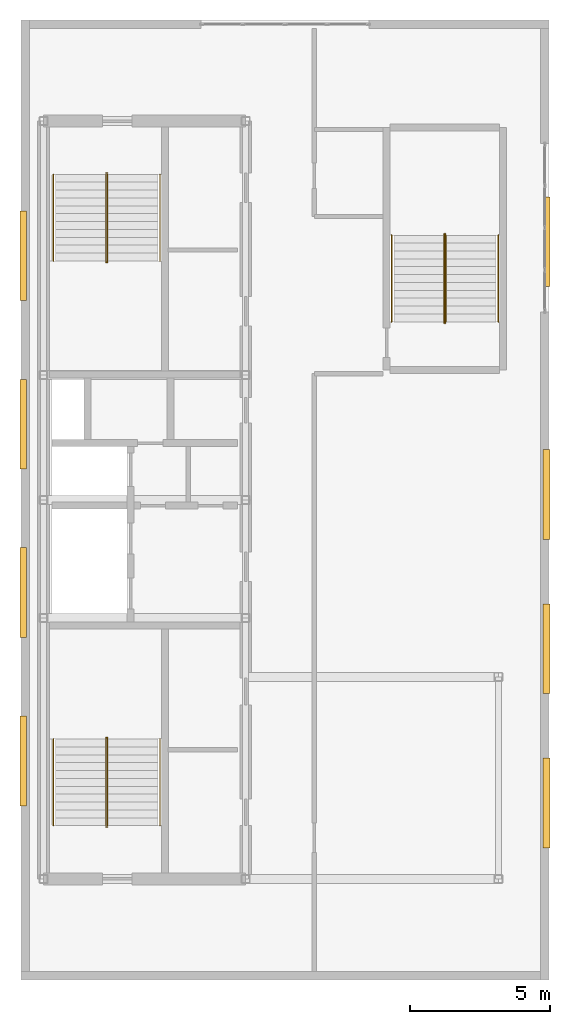
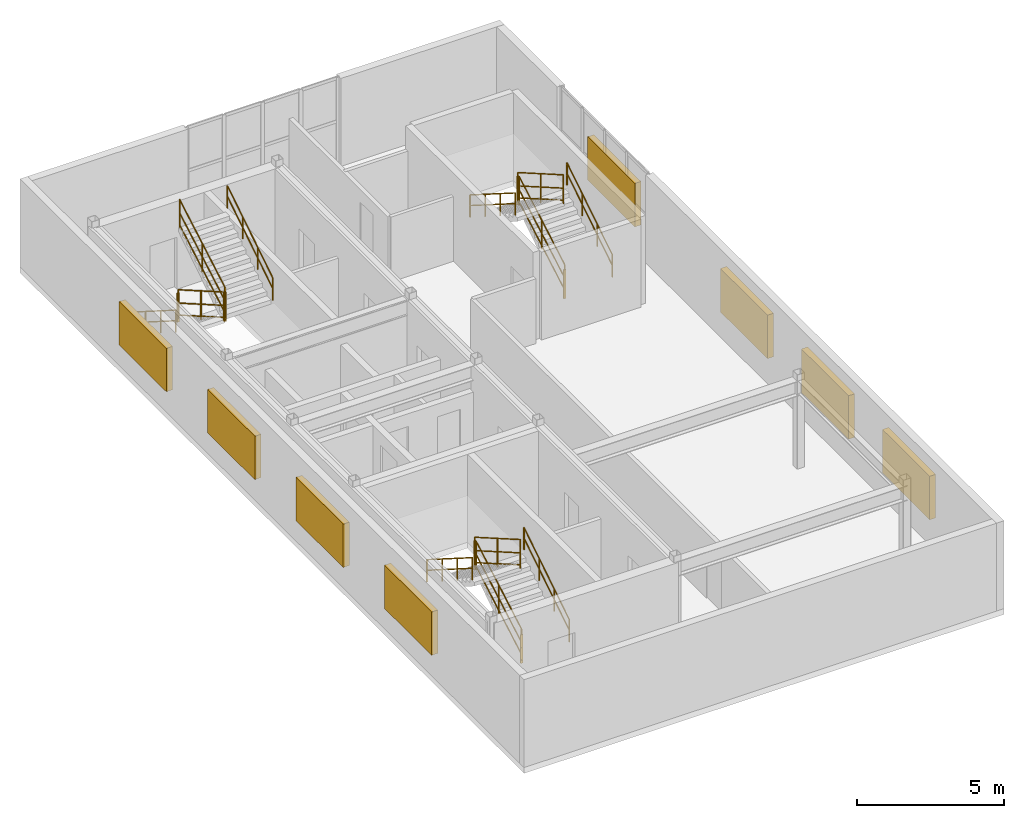
# One storey, part 6 of 6: 18 railings, 8 shading devices.
"""IFC4 building model written with IfcOpenShell, lengths in metres."""

from ifc_helpers import new_model, entity, si_unit, converted_unit, direction, frame, origin_with_axes, origin_2d_with_axis, place, context, subcontext, project, spatial, rectangle, circle, extrude, material, type_object, element, save


model = new_model("IFC4")

# Units and contexts
model_context = context("Model", 3, precision=1e-05, world=origin_with_axes(), true_north=direction((0.0, 1.0)))
body_context = subcontext(model_context, "Body", "Model", "MODEL_VIEW")
ifc_project = project(units=[si_unit("LENGTHUNIT", "METRE"), si_unit("AREAUNIT", "SQUARE_METRE"), si_unit("VOLUMEUNIT", "CUBIC_METRE"), converted_unit("PLANEANGLEUNIT", "DEGREE", entity("IfcPlaneAngleMeasure", 0.017453292519943295), si_unit("PLANEANGLEUNIT", "RADIAN"), dimensions=[0, 0, 0, 0, 0, 0, 0]), si_unit("MASSUNIT", "GRAM", prefix="KILO"), si_unit("THERMODYNAMICTEMPERATUREUNIT", "KELVIN")], contexts=[model_context])

# Site, building, storey
site_placement = place(None, origin_with_axes())
site = spatial("IfcSite", under=ifc_project, at=site_placement, CompositionType="ELEMENT")
building_placement = place(site_placement, origin_with_axes())
building = spatial("IfcBuilding", under=site, at=building_placement, Name="Varnlund Millrace Tower", CompositionType="ELEMENT")
storey_placement = place(building_placement, frame((0.0, 0.0, 328.2), z_axis=(0.0, 0.0, 1.0), x_axis=(1.0, 0.0, 0.0)))
storey = spatial("IfcBuildingStorey", under=building, at=storey_placement, Name="L81", CompositionType="ELEMENT", Elevation=328.2)

# Shading devices
ifc_material_1 = material(Name="Architectural bronze cold-climate intake louvre", Category="aluminium")
shading_device_type = type_object("IfcShadingDeviceType", Name="Type-Shade-CrownLouvre-JAL", PredefinedType="JALOUSIE", material=ifc_material_1)
for number, where, z_axis, x_axis, name in (
    (1, (10.68, 15.0, 0.9), (0.0, 0.0, 1.0), (0.0, 1.0, 0.0), "Type-Shade-CrownLouvre-JAL"),
    (2, (10.68, 21.0, 0.9), (0.0, 0.0, 1.0), (0.0, 1.0, 0.0), "Type-Shade-CrownLouvre-JAL"),
    (3, (10.68, 27.0, 0.9), (0.0, 0.0, 1.0), (0.0, 1.0, 0.0), "Type-Shade-CrownLouvre-JAL"),
    (4, (10.68, 33.0, 0.9), (0.0, 0.0, 1.0), (0.0, 1.0, 0.0), "Type-Shade-CrownLouvre-JAL"),
    (5, (29.32, 13.5, 0.9), (0.0, 0.0, 1.0), (0.0, 1.0, 0.0), "Type-Shade-CrownLouvre-JAL"),
    (6, (29.32, 19.0, 0.9), (0.0, 0.0, 1.0), (0.0, 1.0, 0.0), "Type-Shade-CrownLouvre-JAL"),
    (7, (29.32, 24.5, 0.9), (0.0, 0.0, 1.0), (0.0, 1.0, 0.0), "Type-Shade-CrownLouvre-JAL"),
    (8, (29.32, 33.5, 0.9), (0.0, 0.0, 1.0), (0.0, 1.0, 0.0), "Type-Shade-CrownLouvre-JAL"),
):
    element("IfcShadingDevice", number, at=place(storey_placement, frame(where, z_axis=z_axis, x_axis=x_axis)), inside=storey, type_object=shading_device_type, Name=name, PredefinedType="JALOUSIE", context=body_context, shape_type="SweptSolid", body=[
        extrude(rectangle(XDim=3.2, YDim=0.24, at=origin_2d_with_axis()), origin_with_axes(), (0.0, 0.0, 1.0), 1.8),
    ])

# Railings
ifc_material_2 = material(Name="Painted steel stair well balustrade guard", Category="steel")
railing_type_1 = type_object("IfcRailingType", Name="Type-StairGuard-1150", PredefinedType="GUARDRAIL", material=ifc_material_2)
railing_1_placement = place(storey_placement, frame((0.0, 0.0, -328.2), z_axis=(0.0, 0.0, 1.0), x_axis=(1.0, 0.0, 0.0)))
element("IfcRailing", 9, at=railing_1_placement, inside=storey, type_object=railing_type_1, Name="Type-StairGuard-1150", PredefinedType="GUARDRAIL", context=body_context, shape_type="SweptSolid", body=[
    extrude(circle(Radius=0.024, at=origin_2d_with_axis()), frame((13.675, 12.7, 329.527273), z_axis=(0.0, 0.866696, 0.498836), x_axis=(-1.0, 0.0, 0.0)), (0.0, 0.0, 1.0), 3.553725),
    extrude(circle(Radius=0.024, at=origin_2d_with_axis()), frame((13.675, 12.7, 328.477273), z_axis=(0.0, 0.866696, 0.498836), x_axis=(-1.0, 0.0, 0.0)), (0.0, 0.0, 1.0), 3.553725),
    extrude(circle(Radius=0.024, at=origin_2d_with_axis()), frame((13.675, 12.7, 328.975273), z_axis=(0.0, 0.866696, 0.498836), x_axis=(-1.0, 0.0, 0.0)), (0.0, 0.0, 1.0), 3.553725),
    extrude(rectangle(XDim=0.04, YDim=0.04, at=origin_2d_with_axis()), frame((13.675, 12.7, 328.337273), z_axis=(0.0, 0.0, 1.0), x_axis=(1.0, 0.0, 0.0)), (0.0, 0.0, 1.0), 1.19),
    extrude(rectangle(XDim=0.04, YDim=0.04, at=origin_2d_with_axis()), frame((13.675, 14.24, 329.223636), z_axis=(0.0, 0.0, 1.0), x_axis=(1.0, 0.0, 0.0)), (0.0, 0.0, 1.0), 1.19),
    extrude(rectangle(XDim=0.04, YDim=0.04, at=origin_2d_with_axis()), frame((13.675, 15.78, 330.11), z_axis=(0.0, 0.0, 1.0), x_axis=(1.0, 0.0, 0.0)), (0.0, 0.0, 1.0), 1.19),
])
railing_2_placement = place(storey_placement, frame((0.0, 0.0, -328.2), z_axis=(0.0, 0.0, 1.0), x_axis=(1.0, 0.0, 0.0)))
element("IfcRailing", 10, at=railing_2_placement, inside=storey, type_object=railing_type_1, Name="Type-StairGuard-1150", PredefinedType="GUARDRAIL", context=body_context, shape_type="SweptSolid", body=[
    extrude(circle(Radius=0.024, at=origin_2d_with_axis()), frame((13.625, 15.83, 331.3), z_axis=(1.0, 0.0, 0.0), x_axis=(0.0, 1.0, 0.0)), (0.0, 0.0, 1.0), 0.05),
    extrude(circle(Radius=0.024, at=origin_2d_with_axis()), frame((13.625, 15.83, 330.25), z_axis=(1.0, 0.0, 0.0), x_axis=(0.0, 1.0, 0.0)), (0.0, 0.0, 1.0), 0.05),
    extrude(circle(Radius=0.024, at=origin_2d_with_axis()), frame((13.625, 15.83, 330.748), z_axis=(1.0, 0.0, 0.0), x_axis=(0.0, 1.0, 0.0)), (0.0, 0.0, 1.0), 0.05),
    extrude(rectangle(XDim=0.04, YDim=0.04, at=origin_2d_with_axis()), frame((13.625, 15.83, 330.11), z_axis=(0.0, 0.0, 1.0), x_axis=(1.0, 0.0, 0.0)), (0.0, 0.0, 1.0), 1.19),
    extrude(rectangle(XDim=0.04, YDim=0.04, at=origin_2d_with_axis()), frame((13.675, 15.83, 330.11), z_axis=(0.0, 0.0, 1.0), x_axis=(1.0, 0.0, 0.0)), (0.0, 0.0, 1.0), 1.19),
])
railing_3_placement = place(storey_placement, frame((0.0, 0.0, -328.2), z_axis=(0.0, 0.0, 1.0), x_axis=(1.0, 0.0, 0.0)))
element("IfcRailing", 11, at=railing_3_placement, inside=storey, type_object=railing_type_1, Name="Type-StairGuard-1150", PredefinedType="GUARDRAIL", context=body_context, shape_type="SweptSolid", body=[
    extrude(circle(Radius=0.024, at=origin_2d_with_axis()), frame((13.625, 15.78, 331.477273), z_axis=(0.0, -0.866696, 0.498836), x_axis=(1.0, 0.0, 0.0)), (0.0, 0.0, 1.0), 3.553725),
    extrude(circle(Radius=0.024, at=origin_2d_with_axis()), frame((13.625, 15.78, 330.427273), z_axis=(0.0, -0.866696, 0.498836), x_axis=(1.0, 0.0, 0.0)), (0.0, 0.0, 1.0), 3.553725),
    extrude(circle(Radius=0.024, at=origin_2d_with_axis()), frame((13.625, 15.78, 330.925273), z_axis=(0.0, -0.866696, 0.498836), x_axis=(1.0, 0.0, 0.0)), (0.0, 0.0, 1.0), 3.553725),
    extrude(rectangle(XDim=0.04, YDim=0.04, at=origin_2d_with_axis()), frame((13.625, 15.78, 330.287273), z_axis=(0.0, 0.0, 1.0), x_axis=(1.0, 0.0, 0.0)), (0.0, 0.0, 1.0), 1.19),
    extrude(rectangle(XDim=0.04, YDim=0.04, at=origin_2d_with_axis()), frame((13.625, 14.24, 331.173636), z_axis=(0.0, 0.0, 1.0), x_axis=(1.0, 0.0, 0.0)), (0.0, 0.0, 1.0), 1.19),
    extrude(rectangle(XDim=0.04, YDim=0.04, at=origin_2d_with_axis()), frame((13.625, 12.7, 332.06), z_axis=(0.0, 0.0, 1.0), x_axis=(1.0, 0.0, 0.0)), (0.0, 0.0, 1.0), 1.19),
])
railing_4_placement = place(storey_placement, frame((0.0, 0.0, -328.2), z_axis=(0.0, 0.0, 1.0), x_axis=(1.0, 0.0, 0.0)))
element("IfcRailing", 12, at=railing_4_placement, inside=storey, type_object=railing_type_1, Name="Type-StairGuard-1150", PredefinedType="GUARDRAIL", context=body_context, shape_type="SweptSolid", body=[
    extrude(circle(Radius=0.024, at=origin_2d_with_axis()), frame((13.625, 12.65, 329.35), z_axis=(1.0, 0.0, 0.0), x_axis=(0.0, 1.0, 0.0)), (0.0, 0.0, 1.0), 0.05),
    extrude(circle(Radius=0.024, at=origin_2d_with_axis()), frame((13.625, 12.65, 328.3), z_axis=(1.0, 0.0, 0.0), x_axis=(0.0, 1.0, 0.0)), (0.0, 0.0, 1.0), 0.05),
    extrude(circle(Radius=0.024, at=origin_2d_with_axis()), frame((13.625, 12.65, 328.798), z_axis=(1.0, 0.0, 0.0), x_axis=(0.0, 1.0, 0.0)), (0.0, 0.0, 1.0), 0.05),
    extrude(rectangle(XDim=0.04, YDim=0.04, at=origin_2d_with_axis()), frame((13.625, 12.65, 328.16), z_axis=(0.0, 0.0, 1.0), x_axis=(1.0, 0.0, 0.0)), (0.0, 0.0, 1.0), 1.19),
    extrude(rectangle(XDim=0.04, YDim=0.04, at=origin_2d_with_axis()), frame((13.675, 12.65, 328.16), z_axis=(0.0, 0.0, 1.0), x_axis=(1.0, 0.0, 0.0)), (0.0, 0.0, 1.0), 1.19),
])
railing_5_placement = place(storey_placement, frame((0.0, 0.0, -328.2), z_axis=(0.0, 0.0, 1.0), x_axis=(1.0, 0.0, 0.0)))
element("IfcRailing", 13, at=railing_5_placement, inside=storey, type_object=railing_type_1, Name="Type-StairGuard-1150", PredefinedType="GUARDRAIL", context=body_context, shape_type="SweptSolid", body=[
    extrude(circle(Radius=0.024, at=origin_2d_with_axis()), frame((13.625, 35.9, 329.527273), z_axis=(0.0, -0.866696, 0.498836), x_axis=(1.0, 0.0, 0.0)), (0.0, 0.0, 1.0), 3.553725),
    extrude(circle(Radius=0.024, at=origin_2d_with_axis()), frame((13.625, 35.9, 328.477273), z_axis=(0.0, -0.866696, 0.498836), x_axis=(1.0, 0.0, 0.0)), (0.0, 0.0, 1.0), 3.553725),
    extrude(circle(Radius=0.024, at=origin_2d_with_axis()), frame((13.625, 35.9, 328.975273), z_axis=(0.0, -0.866696, 0.498836), x_axis=(1.0, 0.0, 0.0)), (0.0, 0.0, 1.0), 3.553725),
    extrude(rectangle(XDim=0.04, YDim=0.04, at=origin_2d_with_axis()), frame((13.625, 35.9, 328.337273), z_axis=(0.0, 0.0, 1.0), x_axis=(1.0, 0.0, 0.0)), (0.0, 0.0, 1.0), 1.19),
    extrude(rectangle(XDim=0.04, YDim=0.04, at=origin_2d_with_axis()), frame((13.625, 34.36, 329.223636), z_axis=(0.0, 0.0, 1.0), x_axis=(1.0, 0.0, 0.0)), (0.0, 0.0, 1.0), 1.19),
    extrude(rectangle(XDim=0.04, YDim=0.04, at=origin_2d_with_axis()), frame((13.625, 32.82, 330.11), z_axis=(0.0, 0.0, 1.0), x_axis=(1.0, 0.0, 0.0)), (0.0, 0.0, 1.0), 1.19),
])
railing_6_placement = place(storey_placement, frame((0.0, 0.0, -328.2), z_axis=(0.0, 0.0, 1.0), x_axis=(1.0, 0.0, 0.0)))
element("IfcRailing", 14, at=railing_6_placement, inside=storey, type_object=railing_type_1, Name="Type-StairGuard-1150", PredefinedType="GUARDRAIL", context=body_context, shape_type="SweptSolid", body=[
    extrude(circle(Radius=0.024, at=origin_2d_with_axis()), frame((13.675, 32.77, 331.3), z_axis=(-1.0, 0.0, 0.0), x_axis=(0.0, -1.0, 0.0)), (0.0, 0.0, 1.0), 0.05),
    extrude(circle(Radius=0.024, at=origin_2d_with_axis()), frame((13.675, 32.77, 330.25), z_axis=(-1.0, 0.0, 0.0), x_axis=(0.0, -1.0, 0.0)), (0.0, 0.0, 1.0), 0.05),
    extrude(circle(Radius=0.024, at=origin_2d_with_axis()), frame((13.675, 32.77, 330.748), z_axis=(-1.0, 0.0, 0.0), x_axis=(0.0, -1.0, 0.0)), (0.0, 0.0, 1.0), 0.05),
    extrude(rectangle(XDim=0.04, YDim=0.04, at=origin_2d_with_axis()), frame((13.675, 32.77, 330.11), z_axis=(0.0, 0.0, 1.0), x_axis=(1.0, 0.0, 0.0)), (0.0, 0.0, 1.0), 1.19),
    extrude(rectangle(XDim=0.04, YDim=0.04, at=origin_2d_with_axis()), frame((13.625, 32.77, 330.11), z_axis=(0.0, 0.0, 1.0), x_axis=(1.0, 0.0, 0.0)), (0.0, 0.0, 1.0), 1.19),
])
railing_7_placement = place(storey_placement, frame((0.0, 0.0, -328.2), z_axis=(0.0, 0.0, 1.0), x_axis=(1.0, 0.0, 0.0)))
element("IfcRailing", 15, at=railing_7_placement, inside=storey, type_object=railing_type_1, Name="Type-StairGuard-1150", PredefinedType="GUARDRAIL", context=body_context, shape_type="SweptSolid", body=[
    extrude(circle(Radius=0.024, at=origin_2d_with_axis()), frame((13.675, 32.82, 331.477273), z_axis=(0.0, 0.866696, 0.498836), x_axis=(-1.0, 0.0, 0.0)), (0.0, 0.0, 1.0), 3.553725),
    extrude(circle(Radius=0.024, at=origin_2d_with_axis()), frame((13.675, 32.82, 330.427273), z_axis=(0.0, 0.866696, 0.498836), x_axis=(-1.0, 0.0, 0.0)), (0.0, 0.0, 1.0), 3.553725),
    extrude(circle(Radius=0.024, at=origin_2d_with_axis()), frame((13.675, 32.82, 330.925273), z_axis=(0.0, 0.866696, 0.498836), x_axis=(-1.0, 0.0, 0.0)), (0.0, 0.0, 1.0), 3.553725),
    extrude(rectangle(XDim=0.04, YDim=0.04, at=origin_2d_with_axis()), frame((13.675, 32.82, 330.287273), z_axis=(0.0, 0.0, 1.0), x_axis=(1.0, 0.0, 0.0)), (0.0, 0.0, 1.0), 1.19),
    extrude(rectangle(XDim=0.04, YDim=0.04, at=origin_2d_with_axis()), frame((13.675, 34.36, 331.173636), z_axis=(0.0, 0.0, 1.0), x_axis=(1.0, 0.0, 0.0)), (0.0, 0.0, 1.0), 1.19),
    extrude(rectangle(XDim=0.04, YDim=0.04, at=origin_2d_with_axis()), frame((13.675, 35.9, 332.06), z_axis=(0.0, 0.0, 1.0), x_axis=(1.0, 0.0, 0.0)), (0.0, 0.0, 1.0), 1.19),
])
railing_8_placement = place(storey_placement, frame((0.0, 0.0, -328.2), z_axis=(0.0, 0.0, 1.0), x_axis=(1.0, 0.0, 0.0)))
element("IfcRailing", 16, at=railing_8_placement, inside=storey, type_object=railing_type_1, Name="Type-StairGuard-1150", PredefinedType="GUARDRAIL", context=body_context, shape_type="SweptSolid", body=[
    extrude(circle(Radius=0.024, at=origin_2d_with_axis()), frame((13.675, 35.95, 329.35), z_axis=(-1.0, 0.0, 0.0), x_axis=(0.0, -1.0, 0.0)), (0.0, 0.0, 1.0), 0.05),
    extrude(circle(Radius=0.024, at=origin_2d_with_axis()), frame((13.675, 35.95, 328.3), z_axis=(-1.0, 0.0, 0.0), x_axis=(0.0, -1.0, 0.0)), (0.0, 0.0, 1.0), 0.05),
    extrude(circle(Radius=0.024, at=origin_2d_with_axis()), frame((13.675, 35.95, 328.798), z_axis=(-1.0, 0.0, 0.0), x_axis=(0.0, -1.0, 0.0)), (0.0, 0.0, 1.0), 0.05),
    extrude(rectangle(XDim=0.04, YDim=0.04, at=origin_2d_with_axis()), frame((13.675, 35.95, 328.16), z_axis=(0.0, 0.0, 1.0), x_axis=(1.0, 0.0, 0.0)), (0.0, 0.0, 1.0), 1.19),
    extrude(rectangle(XDim=0.04, YDim=0.04, at=origin_2d_with_axis()), frame((13.625, 35.95, 328.16), z_axis=(0.0, 0.0, 1.0), x_axis=(1.0, 0.0, 0.0)), (0.0, 0.0, 1.0), 1.19),
])
railing_9_placement = place(storey_placement, frame((0.0, 0.0, -328.2), z_axis=(0.0, 0.0, 1.0), x_axis=(1.0, 0.0, 0.0)))
element("IfcRailing", 17, at=railing_9_placement, inside=storey, type_object=railing_type_1, Name="Type-StairGuard-1150", PredefinedType="GUARDRAIL", context=body_context, shape_type="SweptSolid", body=[
    extrude(circle(Radius=0.024, at=origin_2d_with_axis()), frame((25.725, 30.65, 329.527273), z_axis=(0.0, 0.866696, 0.498836), x_axis=(-1.0, 0.0, 0.0)), (0.0, 0.0, 1.0), 3.553725),
    extrude(circle(Radius=0.024, at=origin_2d_with_axis()), frame((25.725, 30.65, 328.477273), z_axis=(0.0, 0.866696, 0.498836), x_axis=(-1.0, 0.0, 0.0)), (0.0, 0.0, 1.0), 3.553725),
    extrude(circle(Radius=0.024, at=origin_2d_with_axis()), frame((25.725, 30.65, 328.975273), z_axis=(0.0, 0.866696, 0.498836), x_axis=(-1.0, 0.0, 0.0)), (0.0, 0.0, 1.0), 3.553725),
    extrude(rectangle(XDim=0.04, YDim=0.04, at=origin_2d_with_axis()), frame((25.725, 30.65, 328.337273), z_axis=(0.0, 0.0, 1.0), x_axis=(1.0, 0.0, 0.0)), (0.0, 0.0, 1.0), 1.19),
    extrude(rectangle(XDim=0.04, YDim=0.04, at=origin_2d_with_axis()), frame((25.725, 32.19, 329.223636), z_axis=(0.0, 0.0, 1.0), x_axis=(1.0, 0.0, 0.0)), (0.0, 0.0, 1.0), 1.19),
    extrude(rectangle(XDim=0.04, YDim=0.04, at=origin_2d_with_axis()), frame((25.725, 33.73, 330.11), z_axis=(0.0, 0.0, 1.0), x_axis=(1.0, 0.0, 0.0)), (0.0, 0.0, 1.0), 1.19),
])
railing_10_placement = place(storey_placement, frame((0.0, 0.0, -328.2), z_axis=(0.0, 0.0, 1.0), x_axis=(1.0, 0.0, 0.0)))
element("IfcRailing", 18, at=railing_10_placement, inside=storey, type_object=railing_type_1, Name="Type-StairGuard-1150", PredefinedType="GUARDRAIL", context=body_context, shape_type="SweptSolid", body=[
    extrude(circle(Radius=0.024, at=origin_2d_with_axis()), frame((25.675, 33.78, 331.3), z_axis=(1.0, 0.0, 0.0), x_axis=(0.0, 1.0, 0.0)), (0.0, 0.0, 1.0), 0.05),
    extrude(circle(Radius=0.024, at=origin_2d_with_axis()), frame((25.675, 33.78, 330.25), z_axis=(1.0, 0.0, 0.0), x_axis=(0.0, 1.0, 0.0)), (0.0, 0.0, 1.0), 0.05),
    extrude(circle(Radius=0.024, at=origin_2d_with_axis()), frame((25.675, 33.78, 330.748), z_axis=(1.0, 0.0, 0.0), x_axis=(0.0, 1.0, 0.0)), (0.0, 0.0, 1.0), 0.05),
    extrude(rectangle(XDim=0.04, YDim=0.04, at=origin_2d_with_axis()), frame((25.675, 33.78, 330.11), z_axis=(0.0, 0.0, 1.0), x_axis=(1.0, 0.0, 0.0)), (0.0, 0.0, 1.0), 1.19),
    extrude(rectangle(XDim=0.04, YDim=0.04, at=origin_2d_with_axis()), frame((25.725, 33.78, 330.11), z_axis=(0.0, 0.0, 1.0), x_axis=(1.0, 0.0, 0.0)), (0.0, 0.0, 1.0), 1.19),
])
railing_11_placement = place(storey_placement, frame((0.0, 0.0, -328.2), z_axis=(0.0, 0.0, 1.0), x_axis=(1.0, 0.0, 0.0)))
element("IfcRailing", 19, at=railing_11_placement, inside=storey, type_object=railing_type_1, Name="Type-StairGuard-1150", PredefinedType="GUARDRAIL", context=body_context, shape_type="SweptSolid", body=[
    extrude(circle(Radius=0.024, at=origin_2d_with_axis()), frame((25.675, 33.73, 331.477273), z_axis=(0.0, -0.866696, 0.498836), x_axis=(1.0, 0.0, 0.0)), (0.0, 0.0, 1.0), 3.553725),
    extrude(circle(Radius=0.024, at=origin_2d_with_axis()), frame((25.675, 33.73, 330.427273), z_axis=(0.0, -0.866696, 0.498836), x_axis=(1.0, 0.0, 0.0)), (0.0, 0.0, 1.0), 3.553725),
    extrude(circle(Radius=0.024, at=origin_2d_with_axis()), frame((25.675, 33.73, 330.925273), z_axis=(0.0, -0.866696, 0.498836), x_axis=(1.0, 0.0, 0.0)), (0.0, 0.0, 1.0), 3.553725),
    extrude(rectangle(XDim=0.04, YDim=0.04, at=origin_2d_with_axis()), frame((25.675, 33.73, 330.287273), z_axis=(0.0, 0.0, 1.0), x_axis=(1.0, 0.0, 0.0)), (0.0, 0.0, 1.0), 1.19),
    extrude(rectangle(XDim=0.04, YDim=0.04, at=origin_2d_with_axis()), frame((25.675, 32.19, 331.173636), z_axis=(0.0, 0.0, 1.0), x_axis=(1.0, 0.0, 0.0)), (0.0, 0.0, 1.0), 1.19),
    extrude(rectangle(XDim=0.04, YDim=0.04, at=origin_2d_with_axis()), frame((25.675, 30.65, 332.06), z_axis=(0.0, 0.0, 1.0), x_axis=(1.0, 0.0, 0.0)), (0.0, 0.0, 1.0), 1.19),
])
railing_12_placement = place(storey_placement, frame((0.0, 0.0, -328.2), z_axis=(0.0, 0.0, 1.0), x_axis=(1.0, 0.0, 0.0)))
element("IfcRailing", 20, at=railing_12_placement, inside=storey, type_object=railing_type_1, Name="Type-StairGuard-1150", PredefinedType="GUARDRAIL", context=body_context, shape_type="SweptSolid", body=[
    extrude(circle(Radius=0.024, at=origin_2d_with_axis()), frame((25.675, 30.6, 329.35), z_axis=(1.0, 0.0, 0.0), x_axis=(0.0, 1.0, 0.0)), (0.0, 0.0, 1.0), 0.05),
    extrude(circle(Radius=0.024, at=origin_2d_with_axis()), frame((25.675, 30.6, 328.3), z_axis=(1.0, 0.0, 0.0), x_axis=(0.0, 1.0, 0.0)), (0.0, 0.0, 1.0), 0.05),
    extrude(circle(Radius=0.024, at=origin_2d_with_axis()), frame((25.675, 30.6, 328.798), z_axis=(1.0, 0.0, 0.0), x_axis=(0.0, 1.0, 0.0)), (0.0, 0.0, 1.0), 0.05),
    extrude(rectangle(XDim=0.04, YDim=0.04, at=origin_2d_with_axis()), frame((25.675, 30.6, 328.16), z_axis=(0.0, 0.0, 1.0), x_axis=(1.0, 0.0, 0.0)), (0.0, 0.0, 1.0), 1.19),
    extrude(rectangle(XDim=0.04, YDim=0.04, at=origin_2d_with_axis()), frame((25.725, 30.6, 328.16), z_axis=(0.0, 0.0, 1.0), x_axis=(1.0, 0.0, 0.0)), (0.0, 0.0, 1.0), 1.19),
])
ifc_material_3 = material(Name="Brushed architectural bronze stair handrail", Category="aluminium")
railing_type_2 = type_object("IfcRailingType", Name="Type-StairHandrail-900", PredefinedType="HANDRAIL", material=ifc_material_3)
railing_13_placement = place(storey_placement, frame((0.0, 0.0, -328.2), z_axis=(0.0, 0.0, 1.0), x_axis=(1.0, 0.0, 0.0)))
element("IfcRailing", 21, at=railing_13_placement, inside=storey, type_object=railing_type_2, Name="Type-StairHandrail-900", PredefinedType="HANDRAIL", context=body_context, shape_type="SweptSolid", body=[
    extrude(circle(Radius=0.024, at=origin_2d_with_axis()), frame((15.55, 12.7, 329.256995), z_axis=(0.0, 0.844902, 0.534922), x_axis=(-1.0, 0.0, 0.0)), (0.0, 0.0, 1.0), 3.645394),
    extrude(circle(Radius=0.024, at=origin_2d_with_axis()), frame((15.55, 12.7, 328.817134), z_axis=(0.0, 0.844902, 0.534922), x_axis=(-1.0, 0.0, 0.0)), (0.0, 0.0, 1.0), 3.645394),
    extrude(rectangle(XDim=0.04, YDim=0.04, at=origin_2d_with_axis()), frame((15.55, 12.7, 328.337273), z_axis=(0.0, 0.0, 1.0), x_axis=(1.0, 0.0, 0.0)), (0.0, 0.0, 1.0), 0.919722),
    extrude(rectangle(XDim=0.04, YDim=0.04, at=origin_2d_with_axis()), frame((15.55, 13.726667, 328.987273), z_axis=(0.0, 0.0, 1.0), x_axis=(1.0, 0.0, 0.0)), (0.0, 0.0, 1.0), 0.919722),
    extrude(rectangle(XDim=0.04, YDim=0.04, at=origin_2d_with_axis()), frame((15.55, 14.753333, 329.637273), z_axis=(0.0, 0.0, 1.0), x_axis=(1.0, 0.0, 0.0)), (0.0, 0.0, 1.0), 0.919722),
    extrude(rectangle(XDim=0.04, YDim=0.04, at=origin_2d_with_axis()), frame((15.55, 15.78, 330.287273), z_axis=(0.0, 0.0, 1.0), x_axis=(1.0, 0.0, 0.0)), (0.0, 0.0, 1.0), 0.919722),
])
railing_14_placement = place(storey_placement, frame((0.0, 0.0, -328.2), z_axis=(0.0, 0.0, 1.0), x_axis=(1.0, 0.0, 0.0)))
element("IfcRailing", 22, at=railing_14_placement, inside=storey, type_object=railing_type_2, Name="Type-StairHandrail-900", PredefinedType="HANDRAIL", context=body_context, shape_type="SweptSolid", body=[
    extrude(circle(Radius=0.024, at=origin_2d_with_axis()), frame((11.75, 15.78, 331.206995), z_axis=(0.0, -0.844902, 0.534922), x_axis=(1.0, 0.0, 0.0)), (0.0, 0.0, 1.0), 3.645394),
    extrude(circle(Radius=0.024, at=origin_2d_with_axis()), frame((11.75, 15.78, 330.767134), z_axis=(0.0, -0.844902, 0.534922), x_axis=(1.0, 0.0, 0.0)), (0.0, 0.0, 1.0), 3.645394),
    extrude(rectangle(XDim=0.04, YDim=0.04, at=origin_2d_with_axis()), frame((11.75, 15.78, 330.287273), z_axis=(0.0, 0.0, 1.0), x_axis=(1.0, 0.0, 0.0)), (0.0, 0.0, 1.0), 0.919722),
    extrude(rectangle(XDim=0.04, YDim=0.04, at=origin_2d_with_axis()), frame((11.75, 14.753333, 330.937273), z_axis=(0.0, 0.0, 1.0), x_axis=(1.0, 0.0, 0.0)), (0.0, 0.0, 1.0), 0.919722),
    extrude(rectangle(XDim=0.04, YDim=0.04, at=origin_2d_with_axis()), frame((11.75, 13.726667, 331.587273), z_axis=(0.0, 0.0, 1.0), x_axis=(1.0, 0.0, 0.0)), (0.0, 0.0, 1.0), 0.919722),
    extrude(rectangle(XDim=0.04, YDim=0.04, at=origin_2d_with_axis()), frame((11.75, 12.7, 332.237273), z_axis=(0.0, 0.0, 1.0), x_axis=(1.0, 0.0, 0.0)), (0.0, 0.0, 1.0), 0.919722),
])
railing_15_placement = place(storey_placement, frame((0.0, 0.0, -328.2), z_axis=(0.0, 0.0, 1.0), x_axis=(1.0, 0.0, 0.0)))
element("IfcRailing", 23, at=railing_15_placement, inside=storey, type_object=railing_type_2, Name="Type-StairHandrail-900", PredefinedType="HANDRAIL", context=body_context, shape_type="SweptSolid", body=[
    extrude(circle(Radius=0.024, at=origin_2d_with_axis()), frame((11.75, 35.9, 329.256995), z_axis=(0.0, -0.844902, 0.534922), x_axis=(1.0, 0.0, 0.0)), (0.0, 0.0, 1.0), 3.645394),
    extrude(circle(Radius=0.024, at=origin_2d_with_axis()), frame((11.75, 35.9, 328.817134), z_axis=(0.0, -0.844902, 0.534922), x_axis=(1.0, 0.0, 0.0)), (0.0, 0.0, 1.0), 3.645394),
    extrude(rectangle(XDim=0.04, YDim=0.04, at=origin_2d_with_axis()), frame((11.75, 35.9, 328.337273), z_axis=(0.0, 0.0, 1.0), x_axis=(1.0, 0.0, 0.0)), (0.0, 0.0, 1.0), 0.919722),
    extrude(rectangle(XDim=0.04, YDim=0.04, at=origin_2d_with_axis()), frame((11.75, 34.873333, 328.987273), z_axis=(0.0, 0.0, 1.0), x_axis=(1.0, 0.0, 0.0)), (0.0, 0.0, 1.0), 0.919722),
    extrude(rectangle(XDim=0.04, YDim=0.04, at=origin_2d_with_axis()), frame((11.75, 33.846667, 329.637273), z_axis=(0.0, 0.0, 1.0), x_axis=(1.0, 0.0, 0.0)), (0.0, 0.0, 1.0), 0.919722),
    extrude(rectangle(XDim=0.04, YDim=0.04, at=origin_2d_with_axis()), frame((11.75, 32.82, 330.287273), z_axis=(0.0, 0.0, 1.0), x_axis=(1.0, 0.0, 0.0)), (0.0, 0.0, 1.0), 0.919722),
])
railing_16_placement = place(storey_placement, frame((0.0, 0.0, -328.2), z_axis=(0.0, 0.0, 1.0), x_axis=(1.0, 0.0, 0.0)))
element("IfcRailing", 24, at=railing_16_placement, inside=storey, type_object=railing_type_2, Name="Type-StairHandrail-900", PredefinedType="HANDRAIL", context=body_context, shape_type="SweptSolid", body=[
    extrude(circle(Radius=0.024, at=origin_2d_with_axis()), frame((15.55, 32.82, 331.206995), z_axis=(0.0, 0.844902, 0.534922), x_axis=(-1.0, 0.0, 0.0)), (0.0, 0.0, 1.0), 3.645394),
    extrude(circle(Radius=0.024, at=origin_2d_with_axis()), frame((15.55, 32.82, 330.767134), z_axis=(0.0, 0.844902, 0.534922), x_axis=(-1.0, 0.0, 0.0)), (0.0, 0.0, 1.0), 3.645394),
    extrude(rectangle(XDim=0.04, YDim=0.04, at=origin_2d_with_axis()), frame((15.55, 32.82, 330.287273), z_axis=(0.0, 0.0, 1.0), x_axis=(1.0, 0.0, 0.0)), (0.0, 0.0, 1.0), 0.919722),
    extrude(rectangle(XDim=0.04, YDim=0.04, at=origin_2d_with_axis()), frame((15.55, 33.846667, 330.937273), z_axis=(0.0, 0.0, 1.0), x_axis=(1.0, 0.0, 0.0)), (0.0, 0.0, 1.0), 0.919722),
    extrude(rectangle(XDim=0.04, YDim=0.04, at=origin_2d_with_axis()), frame((15.55, 34.873333, 331.587273), z_axis=(0.0, 0.0, 1.0), x_axis=(1.0, 0.0, 0.0)), (0.0, 0.0, 1.0), 0.919722),
    extrude(rectangle(XDim=0.04, YDim=0.04, at=origin_2d_with_axis()), frame((15.55, 35.9, 332.237273), z_axis=(0.0, 0.0, 1.0), x_axis=(1.0, 0.0, 0.0)), (0.0, 0.0, 1.0), 0.919722),
])
railing_17_placement = place(storey_placement, frame((0.0, 0.0, -328.2), z_axis=(0.0, 0.0, 1.0), x_axis=(1.0, 0.0, 0.0)))
element("IfcRailing", 25, at=railing_17_placement, inside=storey, type_object=railing_type_2, Name="Type-StairHandrail-900", PredefinedType="HANDRAIL", context=body_context, shape_type="SweptSolid", body=[
    extrude(circle(Radius=0.024, at=origin_2d_with_axis()), frame((27.6, 30.65, 329.256995), z_axis=(0.0, 0.844902, 0.534922), x_axis=(-1.0, 0.0, 0.0)), (0.0, 0.0, 1.0), 3.645394),
    extrude(circle(Radius=0.024, at=origin_2d_with_axis()), frame((27.6, 30.65, 328.817134), z_axis=(0.0, 0.844902, 0.534922), x_axis=(-1.0, 0.0, 0.0)), (0.0, 0.0, 1.0), 3.645394),
    extrude(rectangle(XDim=0.04, YDim=0.04, at=origin_2d_with_axis()), frame((27.6, 30.65, 328.337273), z_axis=(0.0, 0.0, 1.0), x_axis=(1.0, 0.0, 0.0)), (0.0, 0.0, 1.0), 0.919722),
    extrude(rectangle(XDim=0.04, YDim=0.04, at=origin_2d_with_axis()), frame((27.6, 31.676667, 328.987273), z_axis=(0.0, 0.0, 1.0), x_axis=(1.0, 0.0, 0.0)), (0.0, 0.0, 1.0), 0.919722),
    extrude(rectangle(XDim=0.04, YDim=0.04, at=origin_2d_with_axis()), frame((27.6, 32.703333, 329.637273), z_axis=(0.0, 0.0, 1.0), x_axis=(1.0, 0.0, 0.0)), (0.0, 0.0, 1.0), 0.919722),
    extrude(rectangle(XDim=0.04, YDim=0.04, at=origin_2d_with_axis()), frame((27.6, 33.73, 330.287273), z_axis=(0.0, 0.0, 1.0), x_axis=(1.0, 0.0, 0.0)), (0.0, 0.0, 1.0), 0.919722),
])
railing_18_placement = place(storey_placement, frame((0.0, 0.0, -328.2), z_axis=(0.0, 0.0, 1.0), x_axis=(1.0, 0.0, 0.0)))
element("IfcRailing", 26, at=railing_18_placement, inside=storey, type_object=railing_type_2, Name="Type-StairHandrail-900", PredefinedType="HANDRAIL", context=body_context, shape_type="SweptSolid", body=[
    extrude(circle(Radius=0.024, at=origin_2d_with_axis()), frame((23.8, 33.73, 331.206995), z_axis=(0.0, -0.844902, 0.534922), x_axis=(1.0, 0.0, 0.0)), (0.0, 0.0, 1.0), 3.645394),
    extrude(circle(Radius=0.024, at=origin_2d_with_axis()), frame((23.8, 33.73, 330.767134), z_axis=(0.0, -0.844902, 0.534922), x_axis=(1.0, 0.0, 0.0)), (0.0, 0.0, 1.0), 3.645394),
    extrude(rectangle(XDim=0.04, YDim=0.04, at=origin_2d_with_axis()), frame((23.8, 33.73, 330.287273), z_axis=(0.0, 0.0, 1.0), x_axis=(1.0, 0.0, 0.0)), (0.0, 0.0, 1.0), 0.919722),
    extrude(rectangle(XDim=0.04, YDim=0.04, at=origin_2d_with_axis()), frame((23.8, 32.703333, 330.937273), z_axis=(0.0, 0.0, 1.0), x_axis=(1.0, 0.0, 0.0)), (0.0, 0.0, 1.0), 0.919722),
    extrude(rectangle(XDim=0.04, YDim=0.04, at=origin_2d_with_axis()), frame((23.8, 31.676667, 331.587273), z_axis=(0.0, 0.0, 1.0), x_axis=(1.0, 0.0, 0.0)), (0.0, 0.0, 1.0), 0.919722),
    extrude(rectangle(XDim=0.04, YDim=0.04, at=origin_2d_with_axis()), frame((23.8, 30.65, 332.237273), z_axis=(0.0, 0.0, 1.0), x_axis=(1.0, 0.0, 0.0)), (0.0, 0.0, 1.0), 0.919722),
])

save(model, "model.ifc")
